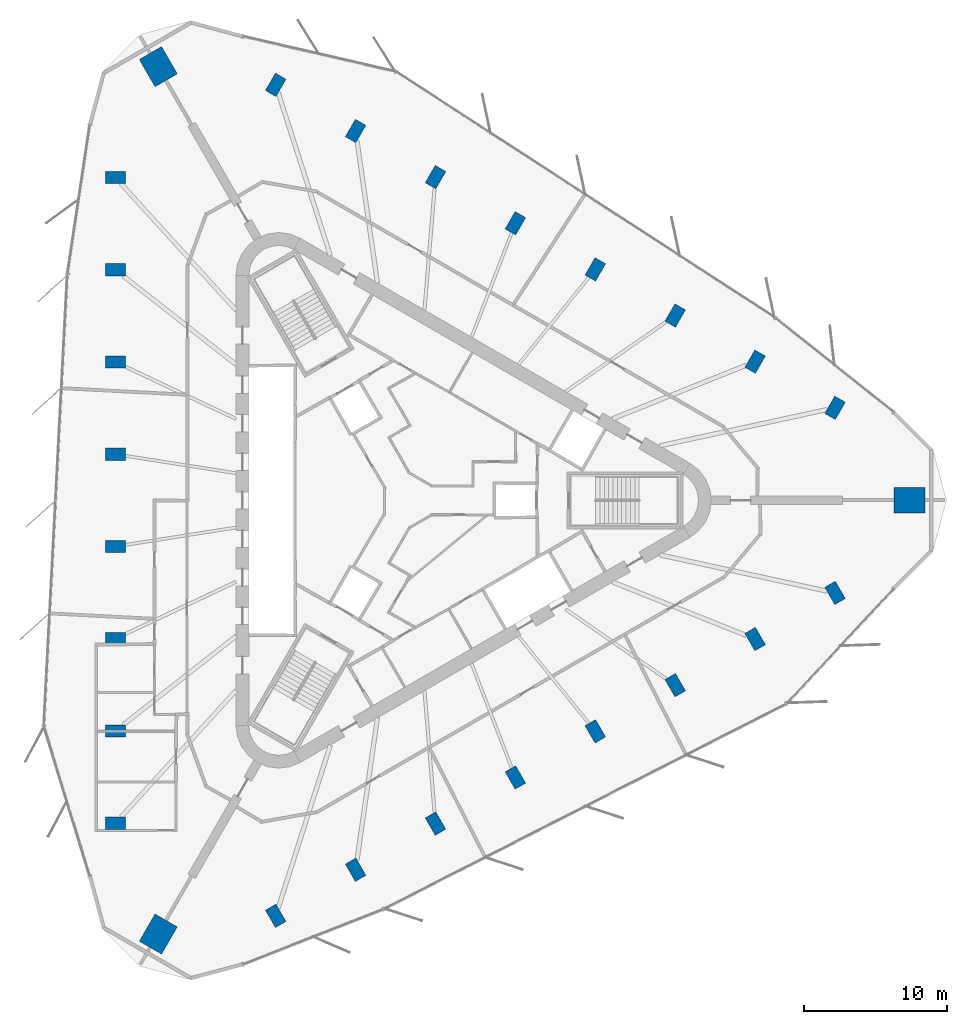
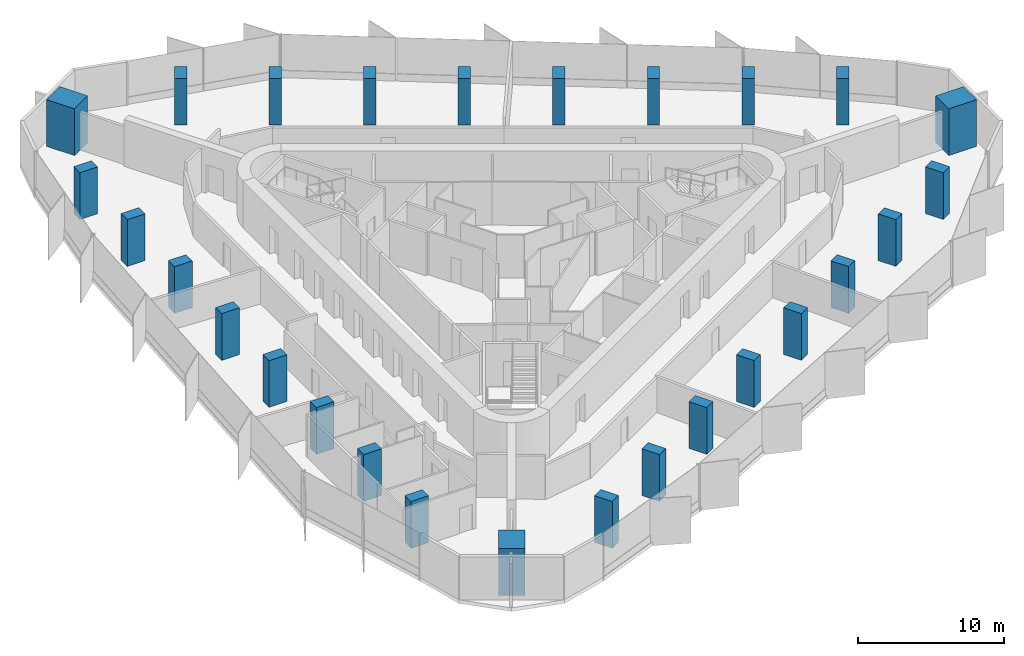
# One storey, part 1 of 13: 27 columns.
"""IFC4 building model written with IfcOpenShell, lengths in metres."""

import ifcopenshell
import ifcopenshell.guid

model = None  # the IFC model being written
_history = None  # IfcOwnerHistory: only IFC2X3 demands one
_inside = {}  # id of a spatial element -> (the spatial element, [elements in it])
_under = {}  # id of a project, library or spatial element -> (it, [spatial elements below it])
_declared = {}  # id of a project -> (the project, [libraries it declares])
_typed = {}  # id of a type object -> (the type object, [elements of that type])
_made_of = {}  # id of a material, layer set ... -> (it, [elements and type objects made of it])


def new_model(schema):
    """Start an empty IFC model of exactly this schema.

    Asked for "IFC4X3", IfcOpenShell would pick the latest addendum, in which some entities
    have other attributes; the version numbers below select the first issue.
    IFC2X3 requires an IfcOwnerHistory on every rooted entity: one is made here for all.
    """
    global model, _history
    if schema == "IFC4X3":
        model = ifcopenshell.file(schema_version=(4, 3, 0, 0))
    else:
        model = ifcopenshell.file(schema=schema)
    _inside.clear()
    _under.clear()
    _declared.clear()
    _typed.clear()
    _made_of.clear()
    _history = None
    if model.schema == "IFC2X3":
        org = make("IfcOrganization", Name="unknown")
        user = make(
            "IfcPersonAndOrganization",
            ThePerson=make("IfcPerson", FamilyName="unknown"),
            TheOrganization=org,
        )
        app = make(
            "IfcApplication",
            ApplicationDeveloper=org,
            Version="unknown",
            ApplicationFullName="unknown",
            ApplicationIdentifier="unknown",
        )
        _history = make(
            "IfcOwnerHistory",
            OwningUser=user,
            OwningApplication=app,
            ChangeAction="ADDED",
            CreationDate=0,
        )
    return model


def make(cls, **values):
    """One entity of the class cls with the attributes given. An attribute that is None is left unset."""
    return model.create_entity(
        cls, **{name: value for name, value in values.items() if value is not None}
    )


def rooted(cls, **values):
    """An entity with a GlobalId (a new one), such as an element, a storey or a relation."""
    return make(cls, GlobalId=ifcopenshell.guid.new(), OwnerHistory=_history, **values)


def si_unit(unit_type, name, prefix=None):
    """IfcSIUnit, for example si_unit("LENGTHUNIT", "METRE", prefix="MILLI")."""
    return make("IfcSIUnit", UnitType=unit_type, Prefix=prefix, Name=name)


def assignment(units):
    """IfcUnitAssignment: the units of a project."""
    return None if units is None else make("IfcUnitAssignment", Units=units)


def point(xyz):
    """IfcCartesianPoint."""
    return None if xyz is None else make("IfcCartesianPoint", Coordinates=xyz)


def direction(xyz):
    """IfcDirection."""
    return None if xyz is None else make("IfcDirection", DirectionRatios=xyz)


def frame(location, z_axis=None, x_axis=None):
    """IfcAxis2Placement3D, a coordinate frame: its origin and axes. An axis left out is left unset."""
    return make(
        "IfcAxis2Placement3D",
        Location=point(location),
        Axis=direction(z_axis),
        RefDirection=direction(x_axis),
    )


def frame_2d(location, x_axis=None):
    """IfcAxis2Placement2D, a coordinate frame in the plane: its origin and x axis."""
    return make(
        "IfcAxis2Placement2D", Location=point(location), RefDirection=direction(x_axis)
    )


def origin():
    """The frame at (0, 0, 0) with its axes left unset."""
    return frame((0.0, 0.0, 0.0))


def origin_2d():
    """The frame at (0, 0) in the plane with its x axis left unset."""
    return frame_2d((0.0, 0.0))


def place(relative_to, where):
    """IfcLocalPlacement: puts the frame where relative to a parent placement (None: the world)."""
    return make(
        "IfcLocalPlacement", PlacementRelTo=relative_to, RelativePlacement=where
    )


def context(
    kind, dimensions, precision=None, world=None, true_north=None, identifier=None
):
    """IfcGeometricRepresentationContext, for example the 3D "Model" context."""
    return make(
        "IfcGeometricRepresentationContext",
        ContextIdentifier=identifier,
        ContextType=kind,
        CoordinateSpaceDimension=dimensions,
        Precision=precision,
        WorldCoordinateSystem=world,
        TrueNorth=true_north,
    )


def subcontext(parent, identifier, kind, view, scale=None):
    """IfcGeometricRepresentationSubContext, for example "Body" below "Model"."""
    return make(
        "IfcGeometricRepresentationSubContext",
        ContextIdentifier=identifier,
        ContextType=kind,
        ParentContext=parent,
        TargetScale=scale,
        TargetView=view,
    )


def project(units=None, contexts=None):
    """IfcProject with its units and contexts."""
    return rooted(
        "IfcProject",
        Name="project",
        RepresentationContexts=contexts,
        UnitsInContext=assignment(units),
    )


def spatial(cls, under=None, at=None, **own):
    """A site, building, storey or space (cls), placed at a placement, below another one or the project."""
    s = rooted(cls, ObjectPlacement=at, **own)
    if under is not None:
        _under.setdefault(under.id(), (under, []))[1].append(s)
    return s


def profile(cls, at=None, kind="AREA", **sizes):
    """A parametric profile (cls). Its sizes go by their IFC names, for example OverallWidth=200.0."""
    return make(cls, ProfileType=kind, Position=at, **sizes)


def rectangle(**sizes):
    """IfcRectangleProfileDef."""
    return profile("IfcRectangleProfileDef", **sizes)


def extrude(swept, where, along, depth):
    """IfcExtrudedAreaSolid: the profile swept, set in the frame where, extruded along a direction by depth."""
    return make(
        "IfcExtrudedAreaSolid",
        SweptArea=swept,
        Position=where,
        ExtrudedDirection=direction(along),
        Depth=depth,
    )


def shape(context_of_items, identifier, shape_type, items):
    """IfcShapeRepresentation: the items that make up one representation, for example the "Body"."""
    return make(
        "IfcShapeRepresentation",
        ContextOfItems=context_of_items,
        RepresentationIdentifier=identifier,
        RepresentationType=shape_type,
        Items=items,
    )


def material(Name=None, Category=None):
    """IfcMaterial."""
    return make("IfcMaterial", Name=Name, Category=Category)


def material_profile(
    of_material, cross_section, Name=None, Category=None, Priority=None
):
    """IfcMaterialProfile: a cross section and its material."""
    return make(
        "IfcMaterialProfile",
        Name=Name,
        Material=of_material,
        Profile=cross_section,
        Priority=Priority,
        Category=Category,
    )


def profile_set(profiles, Name=None, composite=None):
    """IfcMaterialProfileSet."""
    return make(
        "IfcMaterialProfileSet",
        Name=Name,
        MaterialProfiles=profiles,
        CompositeProfile=composite,
    )


def made_of(thing, what):
    """Note that an element or type object is made of a material, layer set ...; save() writes the relation."""
    if what is not None:
        _made_of.setdefault(what.id(), (what, []))[1].append(thing)
    return thing


def type_object(cls, material=None, **own):
    """A type object (cls), such as IfcWallType, which elements share."""
    return made_of(rooted(cls, **own), material)


def element(
    cls,
    number,
    at=None,
    inside=None,
    cuts=None,
    type_object=None,
    material=None,
    context=None,
    identifier="Body",
    shape_type=None,
    held_by="IfcProductDefinitionShape",
    body=None,
    shapes=None,
    **own,
):
    """One element of the class cls, such as IfcWall. Its Tag is "e" and its number.

    at: its placement. inside: the storey or other place that contains it. cuts: it is an
    opening in that element (IfcRelVoidsElement). A single representation is given by context,
    identifier, shape_type and body (its items); several are given by shapes. held_by: the class
    of the entity that holds the representations. save() writes the other relations.
    """
    e = rooted(cls, Tag="e%d" % number, ObjectPlacement=at, **own)
    if body is not None:
        shapes = [shape(context, identifier, shape_type, body)]
    if shapes is not None:
        e.Representation = make(held_by, Representations=shapes)
    if inside is not None:
        _inside.setdefault(inside.id(), (inside, []))[1].append(e)
    if cuts is not None:
        rooted(
            "IfcRelVoidsElement", RelatingBuildingElement=cuts, RelatedOpeningElement=e
        )
    if type_object is not None:
        _typed.setdefault(type_object.id(), (type_object, []))[1].append(e)
    return made_of(e, material)


def aggregate(whole, parts):
    """IfcRelAggregates: a whole, such as a stair, and the parts it consists of."""
    return rooted("IfcRelAggregates", RelatingObject=whole, RelatedObjects=parts)


def save(model, path):
    """Write the relations noted so far, then the file.

    IfcRelAggregates (storeys below a building ...), IfcRelContainedInSpatialStructure (elements
    in a storey), IfcRelDefinesByType, IfcRelAssociatesMaterial and IfcRelDeclares: one each for
    every whole, place, type object, material and project.
    """
    for whole, parts in _under.values():
        aggregate(whole, parts)
    for where, things in _inside.values():
        rooted(
            "IfcRelContainedInSpatialStructure",
            RelatedElements=things,
            RelatingStructure=where,
        )
    for kind, things in _typed.values():
        rooted("IfcRelDefinesByType", RelatedObjects=things, RelatingType=kind)
    for what, things in _made_of.values():
        rooted("IfcRelAssociatesMaterial", RelatedObjects=things, RelatingMaterial=what)
    for by, libraries in _declared.values():
        rooted("IfcRelDeclares", RelatingContext=by, RelatedDefinitions=libraries)
    model.write(path)


model = new_model("IFC4")

# Units and contexts
model_context = context("Model", 3, precision=1e-05, world=origin(), true_north=direction((0.0, 1.0)))
body_context = subcontext(model_context, "Body", "Model", "MODEL_VIEW")
ifc_project = project(units=[si_unit("LENGTHUNIT", "METRE"), si_unit("AREAUNIT", "SQUARE_METRE"), si_unit("VOLUMEUNIT", "CUBIC_METRE"), si_unit("PLANEANGLEUNIT", "RADIAN"), si_unit("MASSUNIT", "GRAM", prefix="KILO")], contexts=[model_context])

# Site, building, storey
site_placement = place(None, origin())
site = spatial("IfcSite", under=ifc_project, at=site_placement, CompositionType="ELEMENT")
building_placement = place(site_placement, origin())
building = spatial("IfcBuilding", under=site, at=building_placement, Name="Tanit Gate Tower", CompositionType="ELEMENT")
storey_placement = place(building_placement, frame((0.0, 0.0, 318.199951171875)))
storey = spatial("IfcBuildingStorey", under=building, at=storey_placement, Name="L71", CompositionType="ELEMENT", Elevation=318.199951171875)

# Columns
ifc_material_1 = material(Name="Concrete C50/60", Category="concrete")
ifc_material_profile_1 = material_profile(ifc_material_1, rectangle(XDim=2.199951171875, YDim=1.800048828125, at=origin_2d()), Name="RC 2200x1800")
ifc_profile_set_1 = profile_set([ifc_material_profile_1], Name="Concrete C50/60")
column_type_1 = type_object("IfcColumnType", Name="MEGA COLUMN 2200x1800 C50/60", PredefinedType="COLUMN", material=ifc_profile_set_1)
for number, where, z_axis, x_axis, name in (
    (1, (35.0830078125, 0.0, 0.0), (0.0, 0.0, 1.0), (1.0, 0.0, 0.0), "MEGA COLUMN"),
    (2, (-17.54150390625, 30.3828125, 0.0), (0.0, 0.0, 1.0), (-0.5, 0.866025403784, 0.0), "MEGA COLUMN"),
    (3, (-17.54150390625, -30.3828125, 0.0), (0.0, 0.0, 1.0), (-0.5, -0.866025403784, 0.0), "MEGA COLUMN"),
):
    element("IfcColumn", number, at=place(storey_placement, frame(where, z_axis=z_axis, x_axis=x_axis)), inside=storey, type_object=column_type_1, Name=name, PredefinedType="COLUMN", context=body_context, shape_type="SweptSolid", body=[
        extrude(rectangle(XDim=2.199951171875, YDim=1.800048828125, at=origin_2d()), origin(), (0.0, 0.0, 1.0), 3.900146484375),
    ])
ifc_material_2 = material(Name="Concrete C40/50", Category="concrete")
ifc_material_profile_2 = material_profile(ifc_material_2, rectangle(XDim=1.39990234375, YDim=0.85009765625, at=origin_2d()), Name="RC 1400x850")
ifc_profile_set_2 = profile_set([ifc_material_profile_2], Name="Concrete C40/50")
column_type_2 = type_object("IfcColumnType", Name="PERIMETER COLUMN 1400x850 C40/50", PredefinedType="COLUMN", material=ifc_profile_set_2)
for number, where, z_axis, x_axis, name in (
    (4, (-20.549560546875, 22.62353515625, 0.0), (0.0, 0.0, 1.0), (-1.0, 0.0, 0.0), "PERIMETER COLUMN"),
    (5, (-20.549560546875, 16.15966796875, 0.0), (0.0, 0.0, 1.0), (-1.0, 0.0, 0.0), "PERIMETER COLUMN"),
    (6, (-20.549560546875, 9.69580078125, 0.0), (0.0, 0.0, 1.0), (-1.0, 0.0, 0.0), "PERIMETER COLUMN"),
    (7, (-20.549560546875, 3.23193359375, 0.0), (0.0, 0.0, 1.0), (-1.0, 0.0, 0.0), "PERIMETER COLUMN"),
    (8, (-20.549560546875, -3.23193359375, 0.0), (0.0, 0.0, 1.0), (-1.0, 0.0, 0.0), "PERIMETER COLUMN"),
    (9, (-20.549560546875, -9.69580078125, 0.0), (0.0, 0.0, 1.0), (-1.0, 0.0, 0.0), "PERIMETER COLUMN"),
    (10, (-20.549560546875, -16.15966796875, 0.0), (0.0, 0.0, 1.0), (-1.0, 0.0, 0.0), "PERIMETER COLUMN"),
    (11, (-20.549560546875, -22.62353515625, 0.0), (0.0, 0.0, 1.0), (-1.0, 0.0, 0.0), "PERIMETER COLUMN"),
    (12, (29.867431640625, 6.484619140625, 0.0), (0.0, 0.0, 1.0), (0.5, 0.866025403784, 0.0), "PERIMETER COLUMN"),
    (13, (24.26953125, 9.716552734375, 0.0), (0.0, 0.0, 1.0), (0.5, 0.866025403784, 0.0), "PERIMETER COLUMN"),
    (14, (18.671630859375, 12.948486328125, 0.0), (0.0, 0.0, 1.0), (0.5, 0.866025403784, 0.0), "PERIMETER COLUMN"),
    (15, (13.07373046875, 16.180419921875, 0.0), (0.0, 0.0, 1.0), (0.5, 0.866025403784, 0.0), "PERIMETER COLUMN"),
    (16, (7.475830078125, 19.412353515625, 0.0), (0.0, 0.0, 1.0), (0.5, 0.866025403784, 0.0), "PERIMETER COLUMN"),
    (17, (1.8779296875, 22.644287109375, 0.0), (0.0, 0.0, 1.0), (0.5, 0.866025403784, 0.0), "PERIMETER COLUMN"),
    (18, (-3.719970703125, 25.876220703125, 0.0), (0.0, 0.0, 1.0), (0.5, 0.866025403784, 0.0), "PERIMETER COLUMN"),
    (19, (-9.31787109375, 29.1083984375, 0.0), (0.0, 0.0, 1.0), (0.5, 0.866025403784, 0.0), "PERIMETER COLUMN"),
    (20, (-9.31787109375, -29.1083984375, 0.0), (0.0, 0.0, 1.0), (0.5, -0.866025403784, 0.0), "PERIMETER COLUMN"),
    (21, (-3.719970703125, -25.876220703125, 0.0), (0.0, 0.0, 1.0), (0.5, -0.866025403784, 0.0), "PERIMETER COLUMN"),
    (22, (1.8779296875, -22.644287109375, 0.0), (0.0, 0.0, 1.0), (0.5, -0.866025403784, 0.0), "PERIMETER COLUMN"),
    (23, (7.475830078125, -19.412353515625, 0.0), (0.0, 0.0, 1.0), (0.5, -0.866025403784, 0.0), "PERIMETER COLUMN"),
    (24, (13.07373046875, -16.180419921875, 0.0), (0.0, 0.0, 1.0), (0.5, -0.866025403784, 0.0), "PERIMETER COLUMN"),
    (25, (18.671630859375, -12.948486328125, 0.0), (0.0, 0.0, 1.0), (0.5, -0.866025403784, 0.0), "PERIMETER COLUMN"),
    (26, (24.26953125, -9.716552734375, 0.0), (0.0, 0.0, 1.0), (0.5, -0.866025403784, 0.0), "PERIMETER COLUMN"),
    (27, (29.867431640625, -6.484619140625, 0.0), (0.0, 0.0, 1.0), (0.5, -0.866025403784, 0.0), "PERIMETER COLUMN"),
):
    element("IfcColumn", number, at=place(storey_placement, frame(where, z_axis=z_axis, x_axis=x_axis)), inside=storey, type_object=column_type_2, Name=name, PredefinedType="COLUMN", context=body_context, shape_type="SweptSolid", body=[
        extrude(rectangle(XDim=1.39990234375, YDim=0.85009765625, at=origin_2d()), origin(), (0.0, 0.0, 1.0), 3.900146484375),
    ])

save(model, "model.ifc")
